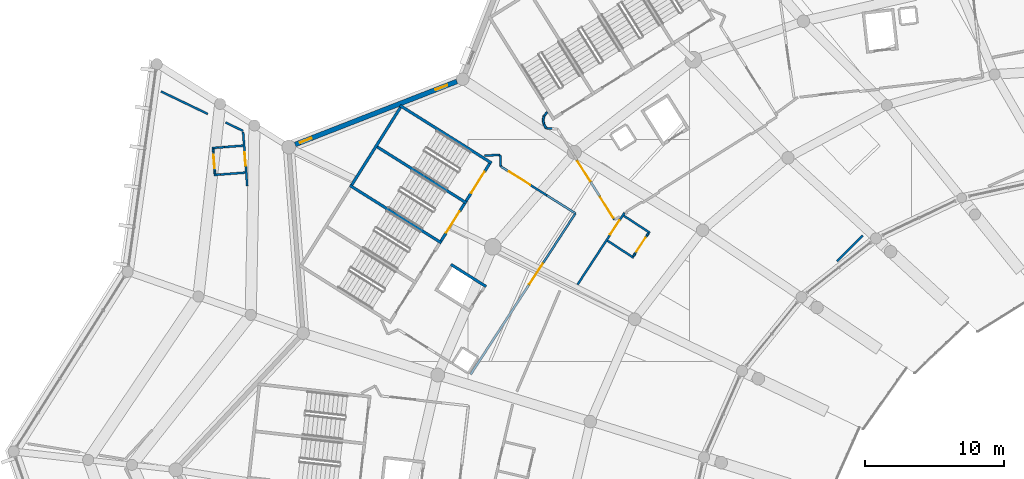
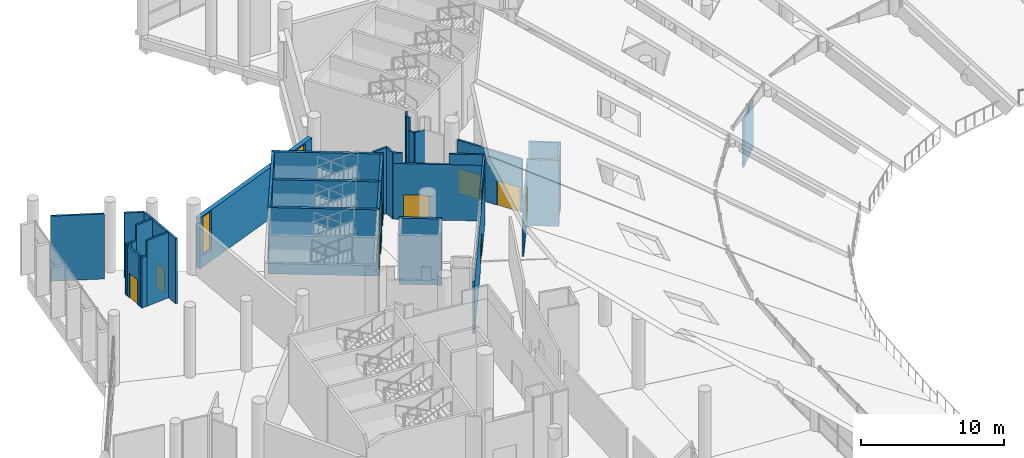
# One storey, part 162 of 249: 39 walls, 10 doors, 2 windows, 12 openings.
"""IFC4 building model written with IfcOpenShell, lengths in metres."""

from ifc_helpers import new_model, si_unit, direction, frame, frame_2d, origin, place, context, subcontext, project, spatial, rectangle, extrude, material, layer, layer_set, type_object, element, fill, save


model = new_model("IFC4")

# Units and contexts
model_context = context("Model", 3, precision=1e-05, world=origin(), true_north=direction((0.0, 1.0)))
body_context = subcontext(model_context, "Body", "Model", "MODEL_VIEW")
ifc_project = project(units=[si_unit("LENGTHUNIT", "METRE"), si_unit("AREAUNIT", "SQUARE_METRE"), si_unit("VOLUMEUNIT", "CUBIC_METRE"), si_unit("PLANEANGLEUNIT", "RADIAN"), si_unit("MASSUNIT", "GRAM", prefix="KILO")], contexts=[model_context])

# Site, building, storey
site_placement = place(None, origin())
site = spatial("IfcSite", under=ifc_project, at=site_placement, CompositionType="ELEMENT")
building_placement = place(site_placement, origin())
building = spatial("IfcBuilding", under=site, at=building_placement, Name="Meseta Stadium", CompositionType="ELEMENT")
storey_placement = place(building_placement, frame((0.0, 0.0, 12.0)))
storey = spatial("IfcBuildingStorey", under=building, at=storey_placement, Name="L02", CompositionType="ELEMENT", Elevation=12.0)

# Walls
ifc_material_1 = material(Name="Concrete C40/50", Category="concrete")
ifc_layer_1 = layer(ifc_material_1, 0.199951171875)
ifc_layer_set_1 = layer_set([ifc_layer_1], Name="Core divider wall 200")
wall_type_1 = type_object("IfcWallType", Name="Core divider wall 200", PredefinedType="SHEAR", material=ifc_layer_set_1)
wall_1_placement = place(storey_placement, frame((-86.696533203125, 79.5869140625, 0.0), z_axis=(0.0, 0.0, 1.0), x_axis=(0.846713903605, -0.532048461553, 0.0)))
element("IfcWall", 1, at=wall_1_placement, inside=storey, type_object=wall_type_1, Name="Core 14 L02 stair A divider wall", PredefinedType="SHEAR", context=body_context, shape_type="SweptSolid", body=[
    extrude(rectangle(XDim=7.7998046875, YDim=0.199951171875, at=frame_2d((3.89990234375, 0.0))), origin(), (0.0, 0.0, 1.0), 5.64990234375),
])
ifc_material_2 = material(Name="Concrete C40/50", Category="concrete")
ifc_layer_2 = layer(ifc_material_2, 0.199951171875)
ifc_layer_set_2 = layer_set([ifc_layer_2], Name="Core shaft wall 200")
wall_type_2 = type_object("IfcWallType", Name="Core shaft wall 200", PredefinedType="SHEAR", material=ifc_layer_set_2)
for number, where, z_axis, x_axis, name in (
    (2, (-84.8876953125, 82.4658203125, 0.0), (0.0, 0.0, 1.0), (0.846722763703, -0.532034361135, 0.0), "Core 14 L02 stair wall A-side"),
    (3, (-88.505615234375, 76.7080078125, 0.0), (0.0, 0.0, 1.0), (0.846722763703, -0.532034361135, 0.0), "Core 14 L02 stair wall shared"),
):
    element("IfcWall", number, at=place(storey_placement, frame(where, z_axis=z_axis, x_axis=x_axis)), inside=storey, type_object=wall_type_2, Name=name, PredefinedType="SHEAR", context=body_context, shape_type="SweptSolid", body=[
        extrude(rectangle(XDim=7.800048828125, YDim=0.199951171875, at=frame_2d((3.89990234375, 0.0))), origin(), (0.0, 0.0, 1.0), 5.64990234375),
    ])
wall_2_placement = place(storey_placement, frame((-84.856201171875, 82.327880859375, 0.0), z_axis=(0.0, 0.0, 1.0), x_axis=(-0.532038964807, -0.846719870989, 0.0)))
element("IfcWall", 4, at=wall_2_placement, inside=storey, type_object=wall_type_2, Name="Core 14 L02 stair A outer end wall", PredefinedType="SHEAR", context=body_context, shape_type="SweptSolid", body=[
    extrude(rectangle(XDim=6.60009765625, YDim=0.199951171875, at=frame_2d((3.300048828125, 0.0))), origin(), (0.0, 0.0, 1.0), 5.64990234375),
])

# Wall, opening, door
wall_3_placement = place(storey_placement, frame((-78.421142578125, 78.284423828125, 0.0), z_axis=(0.0, 0.0, 1.0), x_axis=(-0.53206841829, -0.84670136309, 0.0)))
wall_3 = element("IfcWall", 5, at=wall_3_placement, inside=storey, type_object=wall_type_2, Name="Core 14 L02 stair A1 inner end wall", PredefinedType="SHEAR", context=body_context, shape_type="SweptSolid", body=[
    extrude(rectangle(XDim=3.199951171875, YDim=0.199951171875, at=frame_2d((1.60009765625, 0.0))), origin(), (0.0, 0.0, 1.0), 5.64990234375),
])
opening_1_placement = place(wall_3_placement, frame((0.699951171875, 0.0, 0.0)))
opening_1 = element("IfcOpeningElement", 6, at=opening_1_placement, cuts=wall_3, Name="Opening D1035", PredefinedType="OPENING", context=body_context, shape_type="SweptSolid", body=[
    extrude(rectangle(XDim=1.800048828125, YDim=2.10009765625, at=frame_2d((0.89990234375, 1.050048828125))), frame((0.0, 0.10986328125, 0.0), z_axis=(0.0, -1.0, 0.0), x_axis=(1.0, 0.0, 0.0)), (0.0, 0.0, 1.0), 0.219970703125),
])
ifc_material_3 = material(Name="Steel", Category="steel")
door_type_1 = type_object("IfcDoorType", Name="Stair door 1800x2100", OperationType="DOUBLE_DOOR_SINGLE_SWING", PredefinedType="DOOR", material=ifc_material_3)
door_1_placement = place(opening_1_placement, origin())
door_1 = element("IfcDoor", 7, at=door_1_placement, inside=storey, type_object=door_type_1, Name="Stair A1 door 14 L02", OperationType="DOUBLE_DOOR_SINGLE_SWING", OverallHeight=2.10009765625, OverallWidth=1.800048828125, PredefinedType="DOOR", context=body_context, shape_type="SweptSolid", body=[
    extrude(rectangle(XDim=1.800048828125, YDim=2.10009765625, at=frame_2d((0.89990234375, 1.050048828125))), frame((0.0, 0.02490234375, 0.0), z_axis=(0.0, -1.0, 0.0), x_axis=(1.0, 0.0, 0.0)), (0.0, 0.0, 1.0), 0.050048828125),
])
fill(opening_1, door_1)

wall_4_placement = place(storey_placement, frame((-80.22998046875, 75.405517578125, 0.0), z_axis=(0.0, 0.0, 1.0), x_axis=(-0.53206841829, -0.84670136309, 0.0)))
wall_4 = element("IfcWall", 8, at=wall_4_placement, inside=storey, type_object=wall_type_2, Name="Core 14 L02 stair A2 inner end wall", PredefinedType="SHEAR", context=body_context, shape_type="SweptSolid", body=[
    extrude(rectangle(XDim=3.199951171875, YDim=0.199951171875, at=frame_2d((1.60009765625, 0.0))), origin(), (0.0, 0.0, 1.0), 5.64990234375),
])
opening_2_placement = place(wall_4_placement, frame((0.699951171875, 0.0, 0.0)))
opening_2 = element("IfcOpeningElement", 9, at=opening_2_placement, cuts=wall_4, Name="Opening D1033", PredefinedType="OPENING", context=body_context, shape_type="SweptSolid", body=[
    extrude(rectangle(XDim=1.800048828125, YDim=2.10009765625, at=frame_2d((0.89990234375, 1.050048828125))), frame((0.0, 0.10986328125, 0.0), z_axis=(0.0, -1.0, 0.0), x_axis=(1.0, 0.0, 0.0)), (0.0, 0.0, 1.0), 0.219970703125),
])
door_2_placement = place(opening_2_placement, origin())
door_2 = element("IfcDoor", 10, at=door_2_placement, inside=storey, type_object=door_type_1, Name="Stair A2 door 14 L02", OperationType="DOUBLE_DOOR_SINGLE_SWING", OverallHeight=2.10009765625, OverallWidth=1.800048828125, PredefinedType="DOOR", context=body_context, shape_type="SweptSolid", body=[
    extrude(rectangle(XDim=1.800048828125, YDim=2.10009765625, at=frame_2d((0.89990234375, 1.050048828125))), frame((0.0, 0.02490234375, 0.0), z_axis=(0.0, -1.0, 0.0), x_axis=(1.0, 0.0, 0.0)), (0.0, 0.0, 1.0), 0.050048828125),
])
fill(opening_2, door_2)

# Wall
wall_5_placement = place(storey_placement, frame((-81.22119140625, 71.0087890625, 0.0), z_axis=(0.0, 0.0, 1.0), x_axis=(0.846757002027, -0.531979867588, 0.0)))
element("IfcWall", 11, at=wall_5_placement, inside=storey, type_object=wall_type_2, Name="Core 14 L02 lift shaft wall left", PredefinedType="SHEAR", context=body_context, shape_type="SweptSolid", body=[
    extrude(rectangle(XDim=3.0, YDim=0.199951171875, at=frame_2d((1.5, 0.0))), origin(), (0.0, 0.0, 1.0), 5.64990234375),
])

# Wall, opening, door
ifc_material_4 = material(Name="Masonry blockwork", Category="masonry")
ifc_layer_3 = layer(ifc_material_4, 0.14990234375)
ifc_layer_set_3 = layer_set([ifc_layer_3], Name="Partition 150")
wall_type_3 = type_object("IfcWallType", Name="Partition 150", PredefinedType="PARTITIONING", material=ifc_layer_set_3)
wall_6_placement = place(storey_placement, frame((-72.085205078125, 69.559326171875, 0.0), z_axis=(0.0, 0.0, 1.0), x_axis=(0.547328054804, 0.836918156348, 0.0)))
wall_6 = element("IfcWall", 12, at=wall_6_placement, inside=storey, type_object=wall_type_3, Name="Partition L02 L02-cell12-0-0", PredefinedType="PARTITIONING", context=body_context, shape_type="SweptSolid", body=[
    extrude(rectangle(XDim=6.185546875, YDim=0.14990234375, at=frame_2d((3.0927734375, 0.0))), origin(), (0.0, 0.0, 1.0), 4.0263671875),
])
opening_3_placement = place(wall_6_placement, frame((4.300048828125, 0.0, 0.0)))
opening_3 = element("IfcOpeningElement", 13, at=opening_3_placement, cuts=wall_6, Name="Opening D1062", PredefinedType="OPENING", context=body_context, shape_type="SweptSolid", body=[
    extrude(rectangle(XDim=1.199951171875, YDim=2.10009765625, at=frame_2d((0.60009765625, 1.050048828125))), frame((0.0, 0.0849609375, 0.0), z_axis=(0.0, -1.0, 0.0), x_axis=(1.0, 0.0, 0.0)), (0.0, 0.0, 1.0), 0.169921875),
])
ifc_material_5 = material(Name="Steel", Category="steel")
door_type_2 = type_object("IfcDoorType", Name="Fire door 1200x2100 EI2 60", OperationType="NOTDEFINED", PredefinedType="DOOR", material=ifc_material_5)
door_3_placement = place(opening_3_placement, origin())
door_3 = element("IfcDoor", 14, at=door_3_placement, inside=storey, type_object=door_type_2, Name="Room door L02 L02-cell12-0-0", OperationType="SINGLE_SWING_RIGHT", OverallHeight=2.10009765625, OverallWidth=1.199951171875, PredefinedType="DOOR", context=body_context, shape_type="SweptSolid", body=[
    extrude(rectangle(XDim=1.199951171875, YDim=2.10009765625, at=frame_2d((0.60009765625, 1.050048828125))), frame((0.0, 0.02490234375, 0.0), z_axis=(0.0, -1.0, 0.0), x_axis=(1.0, 0.0, 0.0)), (0.0, 0.0, 1.0), 0.050048828125),
])
fill(opening_3, door_3)

# Walls
wall_7_placement = place(storey_placement, frame((-51.52880859375, 73.105712890625, 0.0), z_axis=(0.0, 0.0, 1.0), x_axis=(-0.703086835656, -0.711104001907, 0.0)))
element("IfcWall", 15, at=wall_7_placement, inside=storey, type_object=wall_type_3, Name="Partition L02 L02-cell12-0-0", PredefinedType="PARTITIONING", context=body_context, shape_type="SweptSolid", body=[
    extrude(rectangle(XDim=2.618896484375, YDim=0.14990234375, at=frame_2d((1.3095703125, 0.0))), origin(), (0.0, 0.0, 1.0), 4.0263671875),
])
wall_8_placement = place(storey_placement, frame((-102.117919921875, 83.479248046875, 0.0), z_axis=(0.0, 0.0, 1.0), x_axis=(0.901188323719, -0.433427739298, 0.0)))
element("IfcWall", 16, at=wall_8_placement, inside=storey, type_object=wall_type_3, Name="Partition L02 L02-ring13-0", PredefinedType="PARTITIONING", context=body_context, shape_type="SweptSolid", body=[
    extrude(rectangle(XDim=3.74755859375, YDim=0.14990234375, at=frame_2d((1.873779296875, 0.0))), origin(), (0.0, 0.0, 1.0), 5.550048828125),
])
wall_9_placement = place(storey_placement, frame((-97.47412109375, 81.245849609375, 0.0), z_axis=(0.0, 0.0, 1.0), x_axis=(0.901167600811, -0.433470823988, 0.0)))
element("IfcWall", 17, at=wall_9_placement, inside=storey, type_object=wall_type_3, Name="Partition L02 L02-ring13-0", PredefinedType="PARTITIONING", context=body_context, shape_type="SweptSolid", body=[
    extrude(rectangle(XDim=1.4052734375, YDim=0.14990234375, at=frame_2d((0.70263671875, 0.0))), origin(), (0.0, 0.0, 1.0), 5.550048828125),
])

# Wall, opening, door
wall_10_placement = place(storey_placement, frame((-96.201171875, 80.55029296875, 0.0), z_axis=(0.0, 0.0, 1.0), x_axis=(0.076969034149, -0.997033483782, 0.0)))
wall_10 = element("IfcWall", 18, at=wall_10_placement, inside=storey, type_object=wall_type_3, Name="Partition L02 L02-ring13-0", PredefinedType="PARTITIONING", context=body_context, shape_type="SweptSolid", body=[
    extrude(rectangle(XDim=3.904541015625, YDim=0.14990234375, at=frame_2d((1.9521484375, 0.0))), origin(), (0.0, 0.0, 1.0), 5.550048828125),
])
opening_4_placement = place(wall_10_placement, frame((1.449951171875, 0.0, 0.0)))
opening_4 = element("IfcOpeningElement", 19, at=opening_4_placement, cuts=wall_10, Name="Opening D710", PredefinedType="OPENING", context=body_context, shape_type="SweptSolid", body=[
    extrude(rectangle(XDim=1.0, YDim=2.10009765625, at=frame_2d((0.5, 1.050048828125))), frame((0.0, 0.0849609375, 0.0), z_axis=(0.0, -1.0, 0.0), x_axis=(1.0, 0.0, 0.0)), (0.0, 0.0, 1.0), 0.169921875),
])
ifc_material_6 = material(Name="Steel", Category="steel")
door_type_3 = type_object("IfcDoorType", Name="Fire door 1000x2100 EI2 60", OperationType="NOTDEFINED", PredefinedType="DOOR", material=ifc_material_6)
door_4_placement = place(opening_4_placement, origin())
door_4 = element("IfcDoor", 20, at=door_4_placement, inside=storey, type_object=door_type_3, Name="Door D710", OperationType="SINGLE_SWING_LEFT", OverallHeight=2.10009765625, OverallWidth=1.0, PredefinedType="DOOR", context=body_context, shape_type="SweptSolid", body=[
    extrude(rectangle(XDim=1.0, YDim=2.10009765625, at=frame_2d((0.5, 1.050048828125))), frame((0.0, 0.02490234375, 0.0), z_axis=(0.0, -1.0, 0.0), x_axis=(1.0, 0.0, 0.0)), (0.0, 0.0, 1.0), 0.050048828125),
])
fill(opening_4, door_4)

# Walls
wall_11_placement = place(storey_placement, frame((-74.288818359375, 81.979736328125, 0.0), z_axis=(0.0, 0.0, 1.0), x_axis=(-0.609611338379, -0.792700458004, 0.0)))
element("IfcWall", 21, at=wall_11_placement, inside=storey, type_object=wall_type_3, Name="Stair vestibule wall L02 core 13", PredefinedType="PARTITIONING", context=body_context, shape_type="SweptSolid", body=[
    extrude(rectangle(XDim=0.35595703125, YDim=0.14990234375, at=frame_2d((0.177978515625, 0.0))), origin(), (0.0, 0.0, 1.0), 5.64990234375),
])
wall_12_placement = place(storey_placement, frame((-74.505859375, 81.697509765625, 0.0), z_axis=(0.0, 0.0, 1.0), x_axis=(-0.22210291642, -0.975023227681, 0.0)))
element("IfcWall", 22, at=wall_12_placement, inside=storey, type_object=wall_type_3, Name="Stair vestibule wall L02 core 13", PredefinedType="PARTITIONING", context=body_context, shape_type="SweptSolid", body=[
    extrude(rectangle(XDim=0.28466796875, YDim=0.14990234375, at=frame_2d((0.142333984375, 0.0))), origin(), (0.0, 0.0, 1.0), 5.64990234375),
])
wall_13_placement = place(storey_placement, frame((-74.569091796875, 81.419921875, 0.0), z_axis=(0.0, 0.0, 1.0), x_axis=(0.166082011564, -0.986111943663, 0.0)))
element("IfcWall", 23, at=wall_13_placement, inside=storey, type_object=wall_type_3, Name="Stair vestibule wall L02 core 13", PredefinedType="PARTITIONING", context=body_context, shape_type="SweptSolid", body=[
    extrude(rectangle(XDim=0.2822265625, YDim=0.14990234375, at=frame_2d((0.14111328125, 0.0))), origin(), (0.0, 0.0, 1.0), 5.64990234375),
])
wall_14_placement = place(storey_placement, frame((-74.522216796875, 81.1416015625, 0.0), z_axis=(0.0, 0.0, 1.0), x_axis=(0.499215914633, -0.866477622664, 0.0)))
element("IfcWall", 24, at=wall_14_placement, inside=storey, type_object=wall_type_3, Name="Stair vestibule wall L02 core 13", PredefinedType="PARTITIONING", context=body_context, shape_type="SweptSolid", body=[
    extrude(rectangle(XDim=0.37548828125, YDim=0.14990234375, at=frame_2d((0.187744140625, 0.0))), origin(), (0.0, 0.0, 1.0), 4.550048828125),
])
wall_15_placement = place(storey_placement, frame((-74.334716796875, 80.816162109375, 0.0), z_axis=(0.0, 0.0, 1.0), x_axis=(0.998641436445, -0.052108362245, 0.0)))
element("IfcWall", 25, at=wall_15_placement, inside=storey, type_object=wall_type_3, Name="Stair vestibule wall L02 core 13", PredefinedType="PARTITIONING", context=body_context, shape_type="SweptSolid", body=[
    extrude(rectangle(XDim=0.79638671875, YDim=0.14990234375, at=frame_2d((0.398193359375, 0.0))), origin(), (0.0, 0.0, 1.0), 4.550048828125),
])

# Wall, openings, doors
wall_16_placement = place(storey_placement, frame((-72.142822265625, 78.55224609375, 0.0), z_axis=(0.0, 0.0, 1.0), x_axis=(0.532063867314, -0.846704222913, 0.0)))
wall_16 = element("IfcWall", 26, at=wall_16_placement, inside=storey, type_object=wall_type_3, Name="Stair vestibule wall L02 core 13", PredefinedType="PARTITIONING", context=body_context, shape_type="SweptSolid", body=[
    extrude(rectangle(XDim=5.10791015625, YDim=0.14990234375, at=frame_2d((2.553955078125, 0.0))), origin(), (0.0, 0.0, 1.0), 4.550048828125),
])
opening_5_placement = place(wall_16_placement, frame((3.14990234375, 0.0, 0.0)))
opening_5 = element("IfcOpeningElement", 27, at=opening_5_placement, cuts=wall_16, Name="Opening D1060", PredefinedType="OPENING", context=body_context, shape_type="SweptSolid", body=[
    extrude(rectangle(XDim=1.800048828125, YDim=2.10009765625, at=frame_2d((0.89990234375, 1.050048828125))), frame((0.0, 0.0849609375, 0.0), z_axis=(0.0, -1.0, 0.0), x_axis=(1.0, 0.0, 0.0)), (0.0, 0.0, 1.0), 0.169921875),
])
opening_6_placement = place(wall_16_placement, frame((0.050048828125, 0.0, 0.0)))
opening_6 = element("IfcOpeningElement", 28, at=opening_6_placement, cuts=wall_16, Name="Opening D1058", PredefinedType="OPENING", context=body_context, shape_type="SweptSolid", body=[
    extrude(rectangle(XDim=1.800048828125, YDim=2.10009765625, at=frame_2d((0.89990234375, 1.050048828125))), frame((0.0, 0.0849609375, 0.0), z_axis=(0.0, -1.0, 0.0), x_axis=(1.0, 0.0, 0.0)), (0.0, 0.0, 1.0), 0.169921875),
])
ifc_material_7 = material(Name="Steel", Category="steel")
door_type_4 = type_object("IfcDoorType", Name="Fire double door 1800x2100 EI2 60", OperationType="DOUBLE_DOOR_SINGLE_SWING", PredefinedType="DOOR", material=ifc_material_7)
door_5_placement = place(opening_5_placement, origin())
door_5 = element("IfcDoor", 29, at=door_5_placement, inside=storey, type_object=door_type_4, Name="Stair vestibule door L02 core 13", OperationType="DOUBLE_DOOR_SINGLE_SWING", OverallHeight=2.10009765625, OverallWidth=1.800048828125, PredefinedType="DOOR", context=body_context, shape_type="SweptSolid", body=[
    extrude(rectangle(XDim=1.800048828125, YDim=2.10009765625, at=frame_2d((0.89990234375, 1.050048828125))), frame((0.0, 0.02490234375, 0.0), z_axis=(0.0, -1.0, 0.0), x_axis=(1.0, 0.0, 0.0)), (0.0, 0.0, 1.0), 0.050048828125),
])
fill(opening_5, door_5)
door_6_placement = place(opening_6_placement, origin())
door_6 = element("IfcDoor", 30, at=door_6_placement, inside=storey, type_object=door_type_4, Name="Stair vestibule door L02 core 13", OperationType="DOUBLE_DOOR_SINGLE_SWING", OverallHeight=2.10009765625, OverallWidth=1.800048828125, PredefinedType="DOOR", context=body_context, shape_type="SweptSolid", body=[
    extrude(rectangle(XDim=1.800048828125, YDim=2.10009765625, at=frame_2d((0.89990234375, 1.050048828125))), frame((0.0, 0.02490234375, 0.0), z_axis=(0.0, -1.0, 0.0), x_axis=(1.0, 0.0, 0.0)), (0.0, 0.0, 1.0), 0.050048828125),
])
fill(opening_6, door_6)

# Wall, opening, door
wall_17_placement = place(storey_placement, frame((-79.7998046875, 63.075439453125, 0.0), z_axis=(0.0, 0.0, 1.0), x_axis=(0.545515209529, 0.838100922427, 0.0)))
wall_17 = element("IfcWall", 31, at=wall_17_placement, inside=storey, type_object=wall_type_3, Name="Stair vestibule wall L02 core 14", PredefinedType="PARTITIONING", context=body_context, shape_type="SweptSolid", body=[
    extrude(rectangle(XDim=13.858154296875, YDim=0.14990234375, at=frame_2d((6.92919921875, 0.0))), origin(), (0.0, 0.0, 1.0), 4.550048828125),
])
opening_7_placement = place(wall_17_placement, frame((7.75, 0.0, 0.0)))
opening_7 = element("IfcOpeningElement", 32, at=opening_7_placement, cuts=wall_17, Name="Opening D1053", PredefinedType="OPENING", context=body_context, shape_type="SweptSolid", body=[
    extrude(rectangle(XDim=1.800048828125, YDim=2.10009765625, at=frame_2d((0.89990234375, 1.050048828125))), frame((0.0, 0.0849609375, 0.0), z_axis=(0.0, -1.0, 0.0), x_axis=(1.0, 0.0, 0.0)), (0.0, 0.0, 1.0), 0.169921875),
])
door_7_placement = place(opening_7_placement, origin())
door_7 = element("IfcDoor", 33, at=door_7_placement, inside=storey, type_object=door_type_4, Name="Stair vestibule door L02 core 14", OperationType="DOUBLE_DOOR_SINGLE_SWING", OverallHeight=2.10009765625, OverallWidth=1.800048828125, PredefinedType="DOOR", context=body_context, shape_type="SweptSolid", body=[
    extrude(rectangle(XDim=1.800048828125, YDim=2.10009765625, at=frame_2d((0.89990234375, 1.050048828125))), frame((0.0, 0.02490234375, 0.0), z_axis=(0.0, -1.0, 0.0), x_axis=(1.0, 0.0, 0.0)), (0.0, 0.0, 1.0), 0.050048828125),
])
fill(opening_7, door_7)

# Wall
wall_18_placement = place(storey_placement, frame((-74.669921875, 70.956787109375, 4.550048828125), z_axis=(0.0, 0.0, 1.0), x_axis=(0.545521889178, 0.838096574643, 0.0)))
element("IfcWall", 34, at=wall_18_placement, inside=storey, type_object=wall_type_3, Name="Stair vestibule wall L02 core 14", PredefinedType="PARTITIONING", context=body_context, shape_type="SweptSolid", body=[
    extrude(rectangle(XDim=4.454345703125, YDim=0.14990234375, at=frame_2d((2.22705078125, 0.0))), origin(), (0.0, 0.0, 1.0), 1.099853515625),
])

# Wall, opening, door
wall_19_placement = place(storey_placement, frame((-72.239990234375, 74.68994140625, 0.0), z_axis=(0.0, 0.0, 1.0), x_axis=(-0.846711707984, 0.532051955699, 0.0)))
wall_19 = element("IfcWall", 35, at=wall_19_placement, inside=storey, type_object=wall_type_3, Name="Stair vestibule wall L02 core 14", PredefinedType="PARTITIONING", context=body_context, shape_type="SweptSolid", body=[
    extrude(rectangle(XDim=6.355224609375, YDim=0.14990234375, at=frame_2d((3.177734375, 0.0))), origin(), (0.0, 0.0, 1.0), 4.75),
])
opening_8_placement = place(wall_19_placement, frame((3.85009765625, 0.0, 0.0)))
opening_8 = element("IfcOpeningElement", 36, at=opening_8_placement, cuts=wall_19, Name="Opening D1049", PredefinedType="OPENING", context=body_context, shape_type="SweptSolid", body=[
    extrude(rectangle(XDim=1.800048828125, YDim=2.10009765625, at=frame_2d((0.89990234375, 1.050048828125))), frame((0.0, 0.0849609375, 0.0), z_axis=(0.0, -1.0, 0.0), x_axis=(1.0, 0.0, 0.0)), (0.0, 0.0, 1.0), 0.169921875),
])
door_8_placement = place(opening_8_placement, origin())
door_8 = element("IfcDoor", 37, at=door_8_placement, inside=storey, type_object=door_type_4, Name="Stair vestibule door L02 core 14", OperationType="DOUBLE_DOOR_SINGLE_SWING", OverallHeight=2.10009765625, OverallWidth=1.800048828125, PredefinedType="DOOR", context=body_context, shape_type="SweptSolid", body=[
    extrude(rectangle(XDim=1.800048828125, YDim=2.10009765625, at=frame_2d((0.89990234375, 1.050048828125))), frame((0.0, 0.02490234375, 0.0), z_axis=(0.0, -1.0, 0.0), x_axis=(1.0, 0.0, 0.0)), (0.0, 0.0, 1.0), 0.050048828125),
])
fill(opening_8, door_8)

# Walls
wall_20_placement = place(storey_placement, frame((-72.239990234375, 74.68994140625, 4.75), z_axis=(0.0, 0.0, 1.0), x_axis=(-0.846727819647, 0.532026314609, 0.0)))
element("IfcWall", 38, at=wall_20_placement, inside=storey, type_object=wall_type_3, Name="Stair vestibule wall L02 core 14", PredefinedType="PARTITIONING", context=body_context, shape_type="SweptSolid", body=[
    extrude(rectangle(XDim=2.444580078125, YDim=0.14990234375, at=frame_2d((1.22216796875, 0.0))), origin(), (0.0, 0.0, 1.0), 0.89990234375),
])
wall_21_placement = place(storey_placement, frame((-77.06640625, 77.722412109375, 4.75), z_axis=(0.0, 0.0, 1.0), x_axis=(-0.846487835431, 0.532408061985, 0.0)))
element("IfcWall", 39, at=wall_21_placement, inside=storey, type_object=wall_type_3, Name="Stair vestibule wall L02 core 14", PredefinedType="PARTITIONING", context=body_context, shape_type="SweptSolid", body=[
    extrude(rectangle(XDim=0.6552734375, YDim=0.14990234375, at=frame_2d((0.32763671875, 0.0))), origin(), (0.0, 0.0, 1.0), 0.89990234375),
])
wall_22_placement = place(storey_placement, frame((-77.62109375, 78.0712890625, 0.0), z_axis=(0.0, 0.0, 1.0), x_axis=(-0.052666933407, 0.998612133977, 0.0)))
element("IfcWall", 40, at=wall_22_placement, inside=storey, type_object=wall_type_3, Name="Stair vestibule wall L02 core 14", PredefinedType="PARTITIONING", context=body_context, shape_type="SweptSolid", body=[
    extrude(rectangle(XDim=0.829833984375, YDim=0.14990234375, at=frame_2d((0.4150390625, 0.0))), origin(), (0.0, 0.0, 1.0), 5.64990234375),
])
wall_23_placement = place(storey_placement, frame((-77.664794921875, 78.89990234375, 0.0), z_axis=(0.0, 0.0, 1.0), x_axis=(-0.999353998407, -0.035938640324, 0.0)))
element("IfcWall", 41, at=wall_23_placement, inside=storey, type_object=wall_type_3, Name="Stair vestibule wall L02 core 14", PredefinedType="PARTITIONING", context=body_context, shape_type="SweptSolid", body=[
    extrude(rectangle(XDim=1.127685546875, YDim=0.14990234375, at=frame_2d((0.56396484375, 0.0))), origin(), (0.0, 0.0, 1.0), 5.64990234375),
])
for number, where, z_axis, x_axis, name in (
    (42, (-69.928955078125, 72.719482421875, 0.0), (0.0, 0.0, 1.0), (0.836925645674, -0.54731660272, 0.0), "Partition L02 L02-cell12-0-0 vestibule"),
    (43, (-68.752197265625, 74.518798828125, 0.0), (0.0, 0.0, 1.0), (0.836925645674, -0.54731660272, 0.0), "Partition L02 L02-cell12-0-0 vestibule"),
):
    element("IfcWall", number, at=place(storey_placement, frame(where, z_axis=z_axis, x_axis=x_axis)), inside=storey, type_object=wall_type_3, Name=name, PredefinedType="PARTITIONING", context=body_context, shape_type="SweptSolid", body=[
        extrude(rectangle(XDim=2.25, YDim=0.14990234375, at=frame_2d((1.125, 0.0))), origin(), (0.0, 0.0, 1.0), 5.64990234375),
    ])
wall_24_placement = place(storey_placement, frame((-68.067626953125, 71.591796875, 0.0), z_axis=(0.0, 0.0, 1.0), x_axis=(0.546788900939, 0.837270504562, 0.0)))
element("IfcWall", 44, at=wall_24_placement, inside=storey, type_object=wall_type_3, Name="Partition L02 L02-cell12-0-0 vestibule", PredefinedType="PARTITIONING", context=body_context, shape_type="SweptSolid", body=[
    extrude(rectangle(XDim=0.199951171875, YDim=0.14990234375, at=frame_2d((0.10009765625, 0.0))), origin(), (0.0, 0.0, 1.0), 5.64990234375),
])

# Wall, opening, door
wall_25_placement = place(storey_placement, frame((-67.958251953125, 71.75927734375, 0.0), z_axis=(0.0, 0.0, 1.0), x_axis=(0.547319249347, 0.836923914878, 0.0)))
wall_25 = element("IfcWall", 45, at=wall_25_placement, inside=storey, type_object=wall_type_3, Name="Partition L02 L02-cell12-0-0 vestibule", PredefinedType="PARTITIONING", context=body_context, shape_type="SweptSolid", body=[
    extrude(rectangle(XDim=1.60009765625, YDim=0.14990234375, at=frame_2d((0.800048828125, 0.0))), origin(), (0.0, 0.0, 1.0), 5.64990234375),
])
opening_9_placement = place(wall_25_placement, frame((0.199951171875, 0.0, 0.0)))
opening_9 = element("IfcOpeningElement", 46, at=opening_9_placement, cuts=wall_25, Name="Opening D1063", PredefinedType="OPENING", context=body_context, shape_type="SweptSolid", body=[
    extrude(rectangle(XDim=1.199951171875, YDim=2.10009765625, at=frame_2d((0.60009765625, 1.050048828125))), frame((0.0, 0.0849609375, 0.0), z_axis=(0.0, -1.0, 0.0), x_axis=(1.0, 0.0, 0.0)), (0.0, 0.0, 1.0), 0.169921875),
])
door_9_placement = place(opening_9_placement, origin())
door_9 = element("IfcDoor", 47, at=door_9_placement, inside=storey, type_object=door_type_2, Name="Vestibule door L02 L02-cell12-0-0", OperationType="SINGLE_SWING_LEFT", OverallHeight=2.10009765625, OverallWidth=1.199951171875, PredefinedType="DOOR", context=body_context, shape_type="SweptSolid", body=[
    extrude(rectangle(XDim=1.199951171875, YDim=2.10009765625, at=frame_2d((0.60009765625, 1.050048828125))), frame((0.0, 0.02490234375, 0.0), z_axis=(0.0, -1.0, 0.0), x_axis=(1.0, 0.0, 0.0)), (0.0, 0.0, 1.0), 0.050048828125),
])
fill(opening_9, door_9)

# Walls
wall_26_placement = place(storey_placement, frame((-67.08251953125, 73.098388671875, 0.0), z_axis=(0.0, 0.0, 1.0), x_axis=(0.548202987106, 0.836345314405, 0.0)))
element("IfcWall", 48, at=wall_26_placement, inside=storey, type_object=wall_type_3, Name="Partition L02 L02-cell12-0-0 vestibule", PredefinedType="PARTITIONING", context=body_context, shape_type="SweptSolid", body=[
    extrude(rectangle(XDim=0.199951171875, YDim=0.14990234375, at=frame_2d((0.10009765625, 0.0))), origin(), (0.0, 0.0, 1.0), 5.64990234375),
])
wall_27_placement = place(storey_placement, frame((-96.20068359375, 79.572509765625, 0.0), z_axis=(0.0, 0.0, 1.0), x_axis=(-0.997028903068, -0.077028348333, 0.0)))
element("IfcWall", 49, at=wall_27_placement, inside=storey, type_object=wall_type_3, Name="Partition L02 L02-ring13-0 vestibule", PredefinedType="PARTITIONING", context=body_context, shape_type="SweptSolid", body=[
    extrude(rectangle(XDim=1.35009765625, YDim=0.14990234375, at=frame_2d((0.675048828125, 0.0))), origin(), (0.0, 0.0, 1.0), 5.60009765625),
])
wall_28_placement = place(storey_placement, frame((-97.546875, 79.468505859375, 0.0), z_axis=(0.0, 0.0, 1.0), x_axis=(-0.997070419096, -0.076489080029, 0.0)))
element("IfcWall", 50, at=wall_28_placement, inside=storey, type_object=wall_type_3, Name="Partition L02 L02-ring13-0 vestibule", PredefinedType="PARTITIONING", context=body_context, shape_type="SweptSolid", body=[
    extrude(rectangle(XDim=0.449951171875, YDim=0.14990234375, at=frame_2d((0.22509765625, 0.0))), origin(), (0.0, 0.0, 1.0), 4.300048828125),
])
wall_29_placement = place(storey_placement, frame((-97.99560546875, 79.43408203125, 0.0), z_axis=(0.0, 0.0, 1.0), x_axis=(-0.997025681882, -0.077070030935, 0.0)))
element("IfcWall", 51, at=wall_29_placement, inside=storey, type_object=wall_type_3, Name="Partition L02 L02-ring13-0 vestibule", PredefinedType="PARTITIONING", context=body_context, shape_type="SweptSolid", body=[
    extrude(rectangle(XDim=0.44970703125, YDim=0.14990234375, at=frame_2d((0.224853515625, 0.0))), origin(), (0.0, 0.0, 1.0), 4.300048828125),
])
wall_30_placement = place(storey_placement, frame((-96.05078125, 77.62841796875, 0.0), z_axis=(0.0, 0.0, 1.0), x_axis=(-0.997028098262, -0.077038764768, 0.0)))
element("IfcWall", 52, at=wall_30_placement, inside=storey, type_object=wall_type_3, Name="Partition L02 L02-ring13-0 vestibule", PredefinedType="PARTITIONING", context=body_context, shape_type="SweptSolid", body=[
    extrude(rectangle(XDim=1.800048828125, YDim=0.14990234375, at=frame_2d((0.89990234375, 0.0))), origin(), (0.0, 0.0, 1.0), 5.60009765625),
])
wall_31_placement = place(storey_placement, frame((-97.845458984375, 77.48974609375, 0.0), z_axis=(0.0, 0.0, 1.0), x_axis=(-0.997028903068, -0.077028348333, 0.0)))
element("IfcWall", 53, at=wall_31_placement, inside=storey, type_object=wall_type_3, Name="Partition L02 L02-ring13-0 vestibule", PredefinedType="PARTITIONING", context=body_context, shape_type="SweptSolid", body=[
    extrude(rectangle(XDim=0.449951171875, YDim=0.14990234375, at=frame_2d((0.22509765625, 0.0))), origin(), (0.0, 0.0, 1.0), 4.300048828125),
])
wall_32_placement = place(storey_placement, frame((-98.363525390625, 79.330322265625, 0.0), z_axis=(0.0, 0.0, 1.0), x_axis=(0.076883141957, -0.997040110769, 0.0)))
element("IfcWall", 54, at=wall_32_placement, inside=storey, type_object=wall_type_3, Name="Partition L02 L02-ring13-0 vestibule", PredefinedType="PARTITIONING", context=body_context, shape_type="SweptSolid", body=[
    extrude(rectangle(XDim=0.199951171875, YDim=0.14990234375, at=frame_2d((0.10009765625, 0.0))), origin(), (0.0, 0.0, 1.0), 4.300048828125),
])

# Wall, opening, door
wall_33_placement = place(storey_placement, frame((-98.34814453125, 79.130859375, 0.0), z_axis=(0.0, 0.0, 1.0), x_axis=(0.076909879213, -0.997038048662, 0.0)))
wall_33 = element("IfcWall", 55, at=wall_33_placement, inside=storey, type_object=wall_type_3, Name="Partition L02 L02-ring13-0 vestibule", PredefinedType="PARTITIONING", context=body_context, shape_type="SweptSolid", body=[
    extrude(rectangle(XDim=1.39990234375, YDim=0.14990234375, at=frame_2d((0.699951171875, 0.0))), origin(), (0.0, 0.0, 1.0), 4.300048828125),
])
opening_10_placement = place(wall_33_placement, frame((0.199951171875, 0.0, 0.0)))
opening_10 = element("IfcOpeningElement", 56, at=opening_10_placement, cuts=wall_33, Name="Opening D930", PredefinedType="OPENING", context=body_context, shape_type="SweptSolid", body=[
    extrude(rectangle(XDim=1.0, YDim=2.10009765625, at=frame_2d((0.5, 1.050048828125))), frame((0.0, 0.0849609375, 0.0), z_axis=(0.0, -1.0, 0.0), x_axis=(1.0, 0.0, 0.0)), (0.0, 0.0, 1.0), 0.169921875),
])
door_10_placement = place(opening_10_placement, origin())
door_10 = element("IfcDoor", 57, at=door_10_placement, inside=storey, type_object=door_type_3, Name="Vestibule door L02 L02-ring13-0", OperationType="SINGLE_SWING_RIGHT", OverallHeight=2.10009765625, OverallWidth=1.0, PredefinedType="DOOR", context=body_context, shape_type="SweptSolid", body=[
    extrude(rectangle(XDim=1.0, YDim=2.10009765625, at=frame_2d((0.5, 1.050048828125))), frame((0.0, 0.02490234375, 0.0), z_axis=(0.0, -1.0, 0.0), x_axis=(1.0, 0.0, 0.0)), (0.0, 0.0, 1.0), 0.050048828125),
])
fill(opening_10, door_10)

# Wall
wall_34_placement = place(storey_placement, frame((-98.240478515625, 77.735107421875, 0.0), z_axis=(0.0, 0.0, 1.0), x_axis=(0.076883141957, -0.997040110769, 0.0)))
element("IfcWall", 58, at=wall_34_placement, inside=storey, type_object=wall_type_3, Name="Partition L02 L02-ring13-0 vestibule", PredefinedType="PARTITIONING", context=body_context, shape_type="SweptSolid", body=[
    extrude(rectangle(XDim=0.199951171875, YDim=0.14990234375, at=frame_2d((0.10009765625, 0.0))), origin(), (0.0, 0.0, 1.0), 4.300048828125),
])

# Wall, openings, windows
ifc_material_8 = material(Name="White precast concrete C40/50", Category="concrete")
ifc_layer_4 = layer(ifc_material_8, 0.35009765625)
ifc_layer_set_4 = layer_set([ifc_layer_4], Name="Pleated panel wall 350 gate")
wall_type_4 = type_object("IfcWallType", Name="Pleated panel wall 350 gate", PredefinedType="SOLIDWALL", material=ifc_layer_set_4)
wall_35_placement = place(storey_placement, frame((-92.443115234375, 79.656005859375, 0.0), z_axis=(0.0, 0.0, 1.0), x_axis=(0.931674762927, 0.363293457312, 0.0)))
wall_35 = element("IfcWall", 59, at=wall_35_placement, inside=storey, type_object=wall_type_4, Name="Pleated facade panel L02 F25", PredefinedType="SOLIDWALL", context=body_context, shape_type="SweptSolid", body=[
    extrude(rectangle(XDim=12.513671875, YDim=0.35009765625, at=frame_2d((6.2568359375, 0.0))), origin(), (0.0, 0.0, 1.0), 4.35009765625),
])
opening_11_placement = place(wall_35_placement, frame((10.86328125, 0.0, 1.0)))
opening_11 = element("IfcOpeningElement", 60, at=opening_11_placement, cuts=wall_35, Name="Opening W009", PredefinedType="OPENING", context=body_context, shape_type="SweptSolid", body=[
    extrude(rectangle(XDim=0.89990234375, YDim=3.25, at=frame_2d((0.449951171875, 1.625))), frame((0.0, 0.18505859375, 0.0), z_axis=(0.0, -1.0, 0.0), x_axis=(1.0, 0.0, 0.0)), (0.0, 0.0, 1.0), 0.3701171875),
])
opening_12_placement = place(wall_35_placement, frame((0.36328125, 0.0, 1.0)))
opening_12 = element("IfcOpeningElement", 61, at=opening_12_placement, cuts=wall_35, Name="Opening W007", PredefinedType="OPENING", context=body_context, shape_type="SweptSolid", body=[
    extrude(rectangle(XDim=0.89990234375, YDim=3.25, at=frame_2d((0.449951171875, 1.625))), frame((0.0, 0.18505859375, 0.0), z_axis=(0.0, -1.0, 0.0), x_axis=(1.0, 0.0, 0.0)), (0.0, 0.0, 1.0), 0.3701171875),
])
ifc_material_9 = material(Name="Aluminium", Category="aluminium")
window_type = type_object("IfcWindowType", Name="Slot window 900x3250", PartitioningType="SINGLE_PANEL", PredefinedType="WINDOW", material=ifc_material_9)
window_1_placement = place(opening_11_placement, origin())
window_1 = element("IfcWindow", 62, at=window_1_placement, inside=storey, type_object=window_type, Name="Slot window L02 F25.1", OverallHeight=3.25, OverallWidth=0.89990234375, PartitioningType="SINGLE_PANEL", PredefinedType="WINDOW", context=body_context, shape_type="SweptSolid", body=[
    extrude(rectangle(XDim=0.89990234375, YDim=3.25, at=frame_2d((0.449951171875, 1.625))), frame((0.0, 0.030029296875, 0.0), z_axis=(0.0, -1.0, 0.0), x_axis=(1.0, 0.0, 0.0)), (0.0, 0.0, 1.0), 0.06005859375),
])
fill(opening_11, window_1)
window_2_placement = place(opening_12_placement, origin())
window_2 = element("IfcWindow", 63, at=window_2_placement, inside=storey, type_object=window_type, Name="Slot window L02 F25.6", OverallHeight=3.25, OverallWidth=0.89990234375, PartitioningType="SINGLE_PANEL", PredefinedType="WINDOW", context=body_context, shape_type="SweptSolid", body=[
    extrude(rectangle(XDim=0.89990234375, YDim=3.25, at=frame_2d((0.449951171875, 1.625))), frame((0.0, 0.030029296875, 0.0), z_axis=(0.0, -1.0, 0.0), x_axis=(1.0, 0.0, 0.0)), (0.0, 0.0, 1.0), 0.06005859375),
])
fill(opening_12, window_2)

save(model, "model.ifc")
